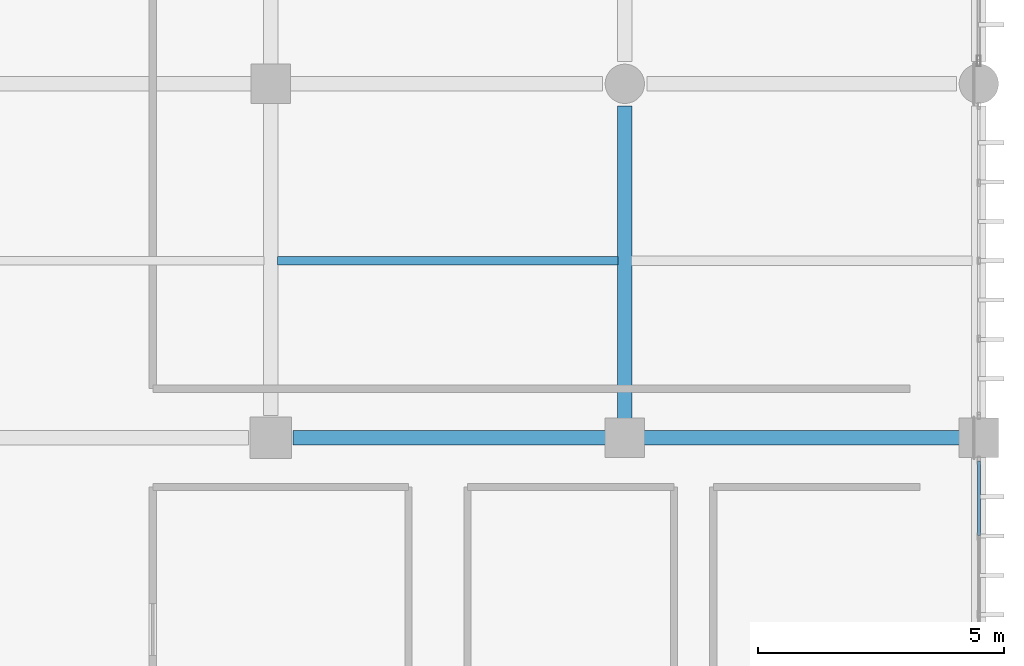
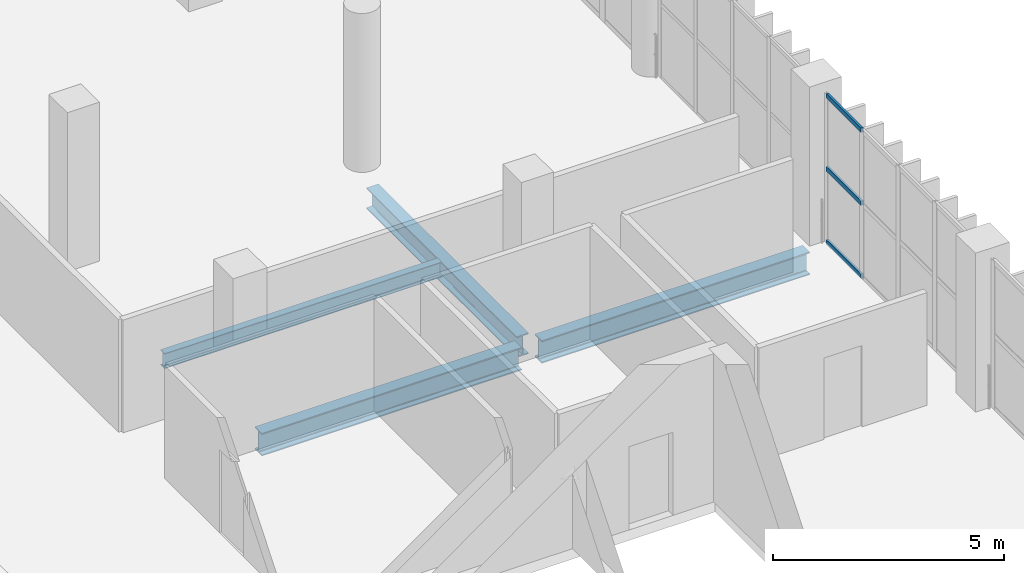
# One storey, part 77 of 153: 4 beams, 3 members, 1 element without a shape of its own.
"""IFC4 building model written with IfcOpenShell, lengths in metres."""

from ifc_helpers import new_model, si_unit, direction, frame, origin, origin_2d, place, context, subcontext, project, spatial, hollow_rectangle, i_section, extrude, material, material_profile, profile_set, type_object, element, aggregate, save


model = new_model("IFC4")

# Units and contexts
model_context = context("Model", 3, precision=1e-05, world=origin(), true_north=direction((0.0, 1.0)))
body_context = subcontext(model_context, "Body", "Model", "MODEL_VIEW")
ifc_project = project(units=[si_unit("LENGTHUNIT", "METRE"), si_unit("AREAUNIT", "SQUARE_METRE"), si_unit("VOLUMEUNIT", "CUBIC_METRE"), si_unit("PLANEANGLEUNIT", "RADIAN"), si_unit("MASSUNIT", "GRAM", prefix="KILO")], contexts=[model_context])

# Site, building, storey
site_placement = place(None, origin())
site = spatial("IfcSite", under=ifc_project, at=site_placement, CompositionType="ELEMENT")
building_placement = place(site_placement, origin())
building = spatial("IfcBuilding", under=site, at=building_placement, Name="Qandorah Velis Arena", CompositionType="ELEMENT")
storey_placement = place(building_placement, frame((0.0, 0.0, 5.39990234375)))
storey = spatial("IfcBuildingStorey", under=building, at=storey_placement, Name="L01", CompositionType="ELEMENT", Elevation=5.39990234375)

# Curtain wall, members
ifc_material_1 = material(Name="Solar-control low-E double glazing", Category="glass")
curtain_wall_type = type_object("IfcCurtainWallType", Name="ARC-CW-SYS19", PredefinedType="USERDEFINED", material=ifc_material_1)
curtain_wall_placement = place(storey_placement, origin())
curtain_wall = element("IfcCurtainWall", 1, at=curtain_wall_placement, inside=storey, type_object=curtain_wall_type, Name="Unitised curtain wall L01-139", ObjectType="UNITISED CURTAIN WALL", PredefinedType="USERDEFINED")
ifc_material_2 = material(Name="Champagne-bronze anodized aluminium 6063-T6", Category="aluminium")
ifc_material_profile_1 = material_profile(ifc_material_2, hollow_rectangle(XDim=0.06005859375, YDim=0.1201171875, WallThickness=0.0029296875, at=origin_2d()), Name="ALU TRANSOM 60x120")
ifc_profile_set_1 = profile_set([ifc_material_profile_1], Name="Champagne-bronze anodized aluminium 6063-T6")
member_type = type_object("IfcMemberType", Name="ARC-CWT-120", PredefinedType="USERDEFINED", material=ifc_profile_set_1)
member_1_placement = place(storey_placement, frame((172.800048828125, 55.61181640625, 0.030029296875), z_axis=(0.0, 1.0, 0.0), x_axis=(-1.0, 0.0, 0.0)))
member_1 = element("IfcMember", 2, at=member_1_placement, type_object=member_type, Name="CW19 transom 4.1", ObjectType="TRANSOM", PredefinedType="USERDEFINED", context=body_context, shape_type="SweptSolid", body=[
    extrude(hollow_rectangle(XDim=0.06005859375, YDim=0.1201171875, WallThickness=0.0029296875, at=origin_2d()), origin(), (0.0, 0.0, 1.0), 1.51513671875),
])
member_2_placement = place(storey_placement, frame((172.800048828125, 55.61181640625, 1.960205078125), z_axis=(0.0, 1.0, 0.0), x_axis=(-1.0, 0.0, 0.0)))
member_2 = element("IfcMember", 3, at=member_2_placement, type_object=member_type, Name="CW19 transom 4.2", ObjectType="TRANSOM", PredefinedType="USERDEFINED", context=body_context, shape_type="SweptSolid", body=[
    extrude(hollow_rectangle(XDim=0.06005859375, YDim=0.1201171875, WallThickness=0.0029296875, at=origin_2d()), origin(), (0.0, 0.0, 1.0), 1.51513671875),
])
member_3_placement = place(storey_placement, frame((172.800048828125, 55.61181640625, 3.89013671875), z_axis=(0.0, 1.0, 0.0), x_axis=(-1.0, 0.0, 0.0)))
member_3 = element("IfcMember", 4, at=member_3_placement, type_object=member_type, Name="CW19 transom 4.3", ObjectType="TRANSOM", PredefinedType="USERDEFINED", context=body_context, shape_type="SweptSolid", body=[
    extrude(hollow_rectangle(XDim=0.06005859375, YDim=0.1201171875, WallThickness=0.0029296875, at=origin_2d()), origin(), (0.0, 0.0, 1.0), 1.51513671875),
])
aggregate(curtain_wall, [member_1, member_2, member_3])

# Beams
ifc_material_3 = material(Name="Steel S355", Category="steel")
ifc_material_profile_2 = material_profile(ifc_material_3, i_section(OverallWidth=0.300048828125, OverallDepth=0.550048828125, WebThickness=0.014892578125, FlangeThickness=0.029052734375, FilletRadius=0.027099609375, at=origin_2d()), Name="HEB 550")
ifc_profile_set_2 = profile_set([ifc_material_profile_2], Name="Steel S355")
beam_type_1 = type_object("IfcBeamType", Name="STR-BM-HEB550", PredefinedType="BEAM", material=ifc_profile_set_2)
beam_1_placement = place(storey_placement, frame((165.60009765625, 57.85009765625, -0.635009765625), z_axis=(0.0, 1.0, 0.0), x_axis=(-1.0, 0.0, 0.0)))
element("IfcBeam", 5, at=beam_1_placement, inside=storey, type_object=beam_type_1, Name="Primary floor girder L01 Y-416", PredefinedType="BEAM", context=body_context, shape_type="SweptSolid", body=[
    extrude(i_section(OverallWidth=0.300048828125, OverallDepth=0.550048828125, WebThickness=0.014892578125, FlangeThickness=0.029052734375, FilletRadius=0.027099609375, at=origin_2d()), origin(), (0.0, 0.0, 1.0), 6.5),
])
ifc_material_profile_3 = material_profile(ifc_material_3, i_section(OverallWidth=0.300048828125, OverallDepth=0.60009765625, WebThickness=0.015380859375, FlangeThickness=0.030029296875, FilletRadius=0.027099609375, at=origin_2d()), Name="HEB 600")
ifc_profile_set_3 = profile_set([ifc_material_profile_3], Name="Steel S355")
beam_type_2 = type_object("IfcBeamType", Name="STR-BM-HEB600", PredefinedType="BEAM", material=ifc_profile_set_3)
beam_2_placement = place(storey_placement, frame((158.85009765625, 57.60009765625, -0.659912109375), z_axis=(1.0, 0.0, 0.0), x_axis=(0.0, 1.0, 0.0)))
element("IfcBeam", 6, at=beam_2_placement, inside=storey, type_object=beam_type_2, Name="Primary floor girder L01 X-107", PredefinedType="BEAM", context=body_context, shape_type="SweptSolid", body=[
    extrude(i_section(OverallWidth=0.300048828125, OverallDepth=0.60009765625, WebThickness=0.015380859375, FlangeThickness=0.030029296875, FilletRadius=0.027099609375, at=origin_2d()), origin(), (0.0, 0.0, 1.0), 6.5),
])
beam_3_placement = place(storey_placement, frame((165.85009765625, 57.60009765625, -0.659912109375), z_axis=(1.0, 0.0, 0.0), x_axis=(0.0, 1.0, 0.0)))
element("IfcBeam", 7, at=beam_3_placement, inside=storey, type_object=beam_type_2, Name="Primary floor girder L01 X-108", PredefinedType="BEAM", context=body_context, shape_type="SweptSolid", body=[
    extrude(i_section(OverallWidth=0.300048828125, OverallDepth=0.60009765625, WebThickness=0.015380859375, FlangeThickness=0.030029296875, FilletRadius=0.027099609375, at=origin_2d()), origin(), (0.0, 0.0, 1.0), 6.699951171875),
])
ifc_material_profile_4 = material_profile(ifc_material_3, i_section(OverallWidth=0.179931640625, OverallDepth=0.39990234375, WebThickness=0.008544921875, FlangeThickness=0.013427734375, FilletRadius=0.02099609375, at=origin_2d()), Name="IPE 400")
ifc_profile_set_4 = profile_set([ifc_material_profile_4], Name="Steel S355")
beam_type_3 = type_object("IfcBeamType", Name="STR-JST-IPE400", PredefinedType="JOIST", material=ifc_profile_set_4)
beam_4_placement = place(storey_placement, frame((158.534912109375, 61.199951171875, -0.559814453125), z_axis=(1.0, 0.0, 0.0), x_axis=(0.0, 1.0, 0.0)))
element("IfcBeam", 8, at=beam_4_placement, inside=storey, type_object=beam_type_3, Name="Secondary floor joist L01-149", PredefinedType="JOIST", context=body_context, shape_type="SweptSolid", body=[
    extrude(i_section(OverallWidth=0.179931640625, OverallDepth=0.39990234375, WebThickness=0.008544921875, FlangeThickness=0.013427734375, FilletRadius=0.02099609375, at=origin_2d()), origin(), (0.0, 0.0, 1.0), 6.93017578125),
])

save(model, "model.ifc")
